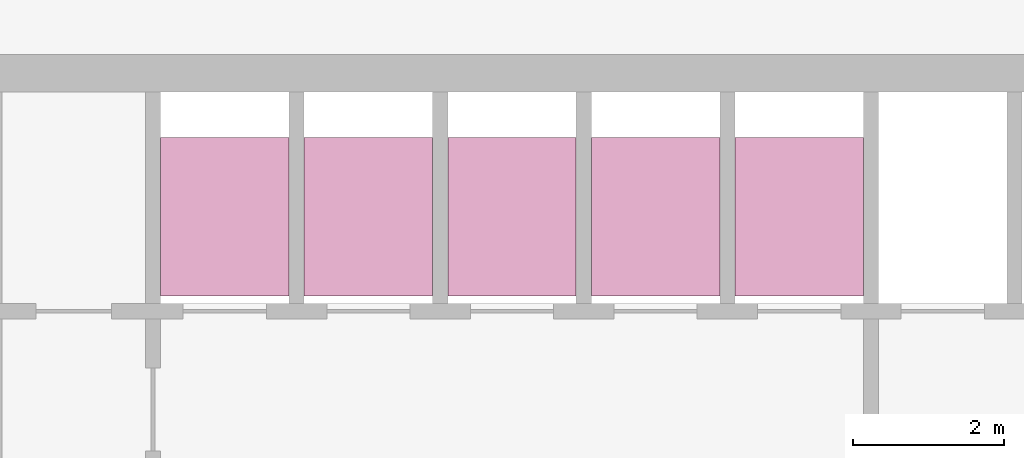
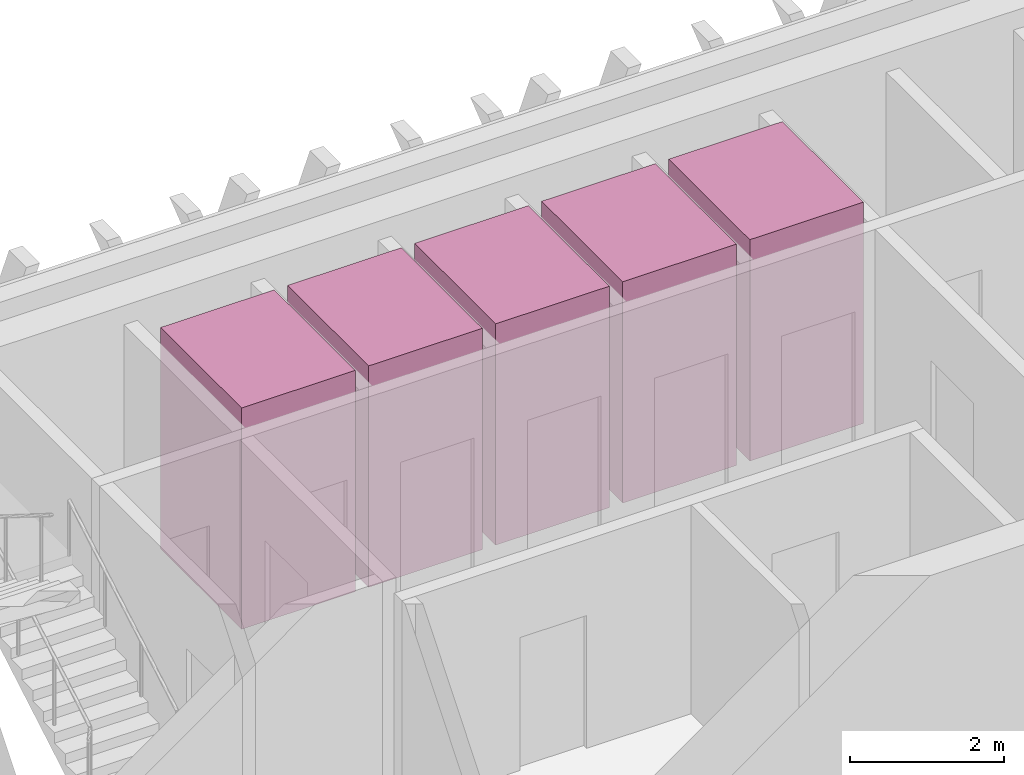
# One storey, part 12 of 12: 5 transport elements.
"""IFC4 building model written with IfcOpenShell, lengths in metres."""

from ifc_helpers import new_model, si_unit, direction, frame, origin, origin_2d, place, context, subcontext, project, spatial, rectangle, extrude, material, type_object, element, save


model = new_model("IFC4")

# Units and contexts
model_context = context("Model", 3, precision=1e-05, world=origin(), true_north=direction((0.0, 1.0)))
body_context = subcontext(model_context, "Body", "Model", "MODEL_VIEW")
ifc_project = project(units=[si_unit("LENGTHUNIT", "METRE"), si_unit("AREAUNIT", "SQUARE_METRE"), si_unit("VOLUMEUNIT", "CUBIC_METRE"), si_unit("PLANEANGLEUNIT", "RADIAN"), si_unit("MASSUNIT", "GRAM", prefix="KILO")], contexts=[model_context])

# Site, building, storey
site_placement = place(None, origin())
site = spatial("IfcSite", under=ifc_project, at=site_placement, CompositionType="ELEMENT")
building_placement = place(site_placement, origin())
building = spatial("IfcBuilding", under=site, at=building_placement, Name="Altiplano Prism Tower", CompositionType="ELEMENT")
storey_placement = place(building_placement, frame((0.0, 0.0, 331.0)))
storey = spatial("IfcBuildingStorey", under=building, at=storey_placement, Name="L86", CompositionType="ELEMENT", Elevation=331.0)

# Transport elements
ifc_material = material(Name="Stainless steel lift car", Category="steel")
transport_element_type = type_object("IfcTransportElementType", Name="Passenger lift car 1600 x 2100", PredefinedType="ELEVATOR", material=ifc_material)
for number, where, z_axis, x_axis, name in (
    (1, (79.050048828125, 101.75, 0.050048828125), (0.0, 0.0, 1.0), (1.0, 0.0, 0.0), "High Zone Passenger Lift 1"),
    (2, (80.949951171875, 101.75, 0.050048828125), (0.0, 0.0, 1.0), (1.0, 0.0, 0.0), "High Zone Passenger Lift 2"),
    (3, (82.85009765625, 101.75, 0.050048828125), (0.0, 0.0, 1.0), (1.0, 0.0, 0.0), "High Zone Passenger Lift 3"),
    (4, (84.75, 101.75, 0.050048828125), (0.0, 0.0, 1.0), (1.0, 0.0, 0.0), "High Zone Passenger Lift 4"),
    (5, (86.64990234375, 101.75, 0.050048828125), (0.0, 0.0, 1.0), (1.0, 0.0, 0.0), "High Zone Passenger Lift 5"),
):
    element("IfcTransportElement", number, at=place(storey_placement, frame(where, z_axis=z_axis, x_axis=x_axis)), inside=storey, type_object=transport_element_type, Name=name, PredefinedType="ELEVATOR", context=body_context, shape_type="SweptSolid", body=[
        extrude(rectangle(XDim=1.699951171875, YDim=2.10009765625, at=origin_2d()), origin(), (0.0, 0.0, 1.0), 3.5),
    ])

save(model, "model.ifc")
